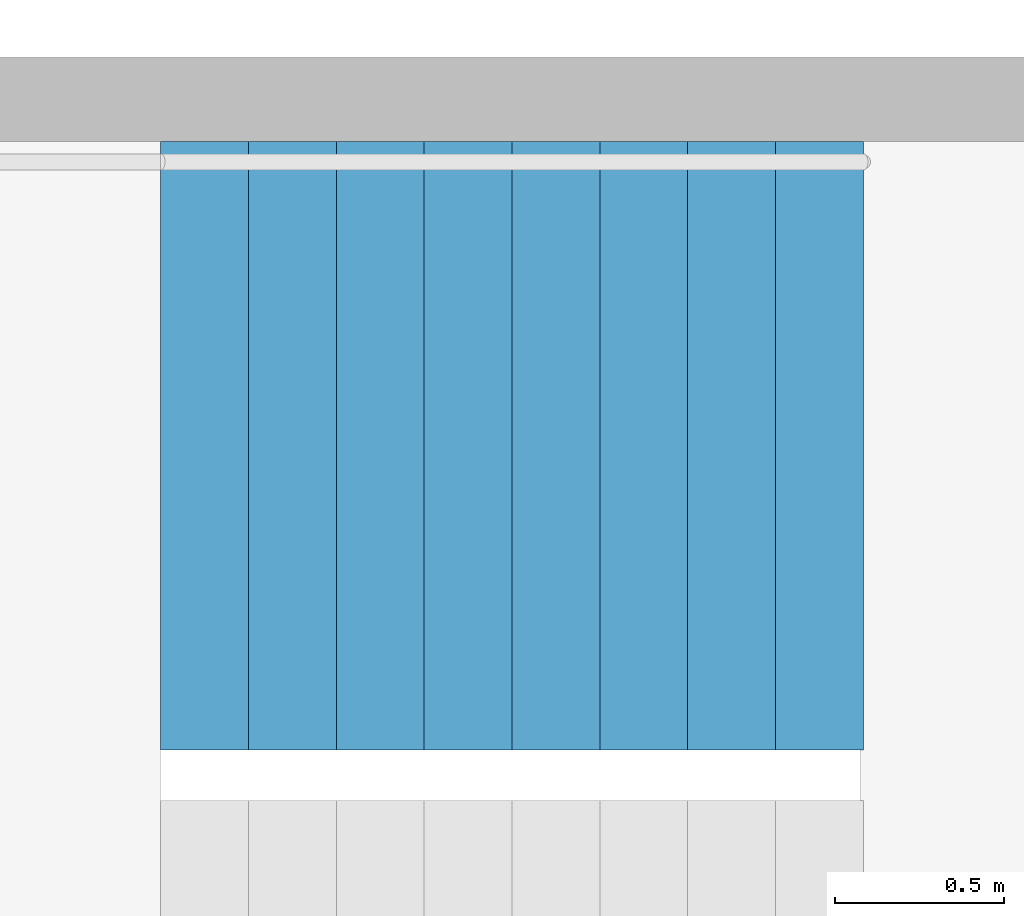
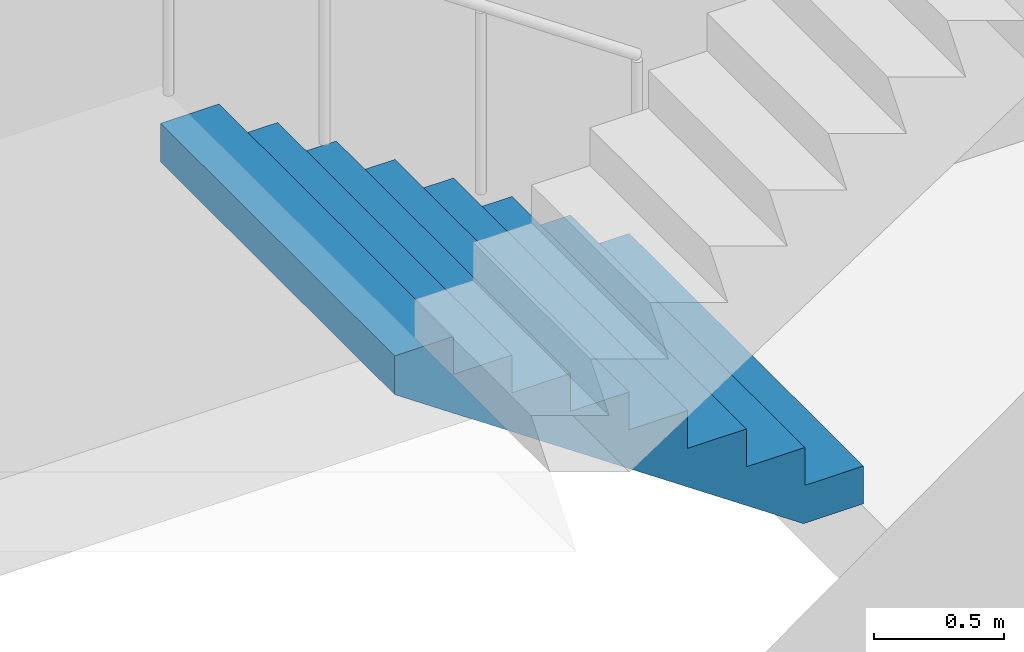
# One storey, part 19 of 26: 1 stair flight, 1 element without a shape of its own.
"""IFC4 building model written with IfcOpenShell, lengths in metres."""

from ifc_helpers import new_model, si_unit, direction, frame, origin, place, context, subcontext, project, spatial, triangles, material, type_object, element, aggregate, save


model = new_model("IFC4")

# Units and contexts
model_context = context("Model", 3, precision=1e-05, world=origin(), true_north=direction((0.0, 1.0)))
body_context = subcontext(model_context, "Body", "Model", "MODEL_VIEW")
ifc_project = project(units=[si_unit("LENGTHUNIT", "METRE"), si_unit("AREAUNIT", "SQUARE_METRE"), si_unit("VOLUMEUNIT", "CUBIC_METRE"), si_unit("PLANEANGLEUNIT", "RADIAN"), si_unit("MASSUNIT", "GRAM", prefix="KILO")], contexts=[model_context])

# Site, building, storey
site_placement = place(None, origin())
site = spatial("IfcSite", under=ifc_project, at=site_placement, CompositionType="ELEMENT")
building_placement = place(site_placement, origin())
building = spatial("IfcBuilding", under=site, at=building_placement, Name="Hakoniwa Tower and Hamabe Station Hall", CompositionType="ELEMENT")
storey_placement = place(building_placement, frame((0.0, 0.0, 143.800048828125)))
storey = spatial("IfcBuildingStorey", under=building, at=storey_placement, Name="L40", CompositionType="ELEMENT", Elevation=143.800048828125)

# Stair, stair flight
ifc_material_1 = material(Name="Concrete C40", Category="concrete")
stair_type = type_object("IfcStairType", Name="ESCAPE STAIR 1800", PredefinedType="HALF_TURN_STAIR", material=ifc_material_1)
stair_placement = place(storey_placement, origin())
stair = element("IfcStair", 1, at=stair_placement, inside=storey, type_object=stair_type, Name="Escape stair ST-2 L40", PredefinedType="HALF_TURN_STAIR")
ifc_material_2 = material(Name="Concrete C40", Category="concrete")
stair_flight_type = type_object("IfcStairFlightType", Name="STAIR FLIGHT 1800", PredefinedType="STRAIGHT", material=ifc_material_2)
stair_flight_placement = place(storey_placement, frame((-23.39990234375, -4.64990234375, 0.0), z_axis=(0.0, 0.0, 1.0), x_axis=(-1.0, 0.0, 0.0)))
stair_flight = element("IfcStairFlight", 2, at=stair_flight_placement, type_object=stair_flight_type, Name="ST-2 flight 1", NumberOfRisers=9, NumberOfTreads=8, PredefinedType="STRAIGHT", RiserHeight=0.177777778, TreadLength=0.26, context=body_context, shape_type="Tessellation", body=[
    triangles([(0.0, 0.89990234375, 0.0), (0.260009765625, 0.89990234375, 0.0), (0.265625, 0.89990234375, 0.0), (0.52001953125, 0.89990234375, 0.174072265625), (0.780029296875, 0.89990234375, 0.351806640625), (1.0400390625, 0.89990234375, 0.529541015625), (1.300048828125, 0.89990234375, 0.707275390625), (1.56005859375, 0.89990234375, 0.885009765625), (1.820068359375, 0.89990234375, 1.062744140625), (2.080078125, 0.89990234375, 1.24072265625), (2.080078125, 0.89990234375, 1.422119140625), (1.820068359375, 0.89990234375, 1.422119140625), (1.820068359375, 0.89990234375, 1.244384765625), (1.56005859375, 0.89990234375, 1.244384765625), (1.56005859375, 0.89990234375, 1.066650390625), (1.300048828125, 0.89990234375, 1.066650390625), (1.300048828125, 0.89990234375, 0.888916015625), (1.0400390625, 0.89990234375, 0.888916015625), (1.0400390625, 0.89990234375, 0.711181640625), (0.780029296875, 0.89990234375, 0.711181640625), (0.780029296875, 0.89990234375, 0.533447265625), (0.52001953125, 0.89990234375, 0.533447265625), (0.52001953125, 0.89990234375, 0.35546875), (0.265625, 0.89990234375, 0.35546875), (0.260009765625, 0.89990234375, 0.35546875), (0.260009765625, 0.89990234375, 0.177734375), (0.0, 0.89990234375, 0.177734375), (0.0, 0.06005859375, 0.0), (0.260009765625, 0.06005859375, 0.0), (0.265625, 0.06005859375, 0.0), (0.52001953125, 0.06005859375, 0.174072265625), (0.780029296875, 0.06005859375, 0.351806640625), (1.0400390625, 0.06005859375, 0.529541015625), (1.300048828125, 0.06005859375, 0.707275390625), (1.56005859375, 0.06005859375, 0.885009765625), (1.820068359375, 0.06005859375, 1.062744140625), (2.080078125, 0.06005859375, 1.24072265625), (2.080078125, 0.06005859375, 1.422119140625), (1.820068359375, 0.06005859375, 1.422119140625), (1.820068359375, 0.06005859375, 1.244384765625), (1.56005859375, 0.06005859375, 1.244384765625), (1.56005859375, 0.06005859375, 1.066650390625), (1.300048828125, 0.06005859375, 1.066650390625), (1.300048828125, 0.06005859375, 0.888916015625), (1.0400390625, 0.06005859375, 0.888916015625), (1.0400390625, 0.06005859375, 0.711181640625), (0.780029296875, 0.06005859375, 0.711181640625), (0.780029296875, 0.06005859375, 0.533447265625), (0.52001953125, 0.06005859375, 0.533447265625), (0.52001953125, 0.06005859375, 0.35546875), (0.265625, 0.06005859375, 0.35546875), (0.260009765625, 0.06005859375, 0.35546875), (0.260009765625, 0.06005859375, 0.177734375), (0.0, 0.06005859375, 0.177734375), (0.0, 0.04296875, 0.0), (0.260009765625, 0.04296875, 0.0), (0.265625, 0.04296875, 0.0), (0.52001953125, 0.04296875, 0.174072265625), (0.780029296875, 0.04296875, 0.351806640625), (1.0400390625, 0.04296875, 0.529541015625), (1.300048828125, 0.04296875, 0.707275390625), (1.56005859375, 0.04296875, 0.885009765625), (1.820068359375, 0.04296875, 1.062744140625), (2.080078125, 0.04296875, 1.24072265625), (2.080078125, 0.04296875, 1.422119140625), (1.820068359375, 0.04296875, 1.422119140625), (1.820068359375, 0.04296875, 1.244384765625), (1.56005859375, 0.04296875, 1.244384765625), (1.56005859375, 0.04296875, 1.066650390625), (1.300048828125, 0.04296875, 1.066650390625), (1.300048828125, 0.04296875, 0.888916015625), (1.0400390625, 0.04296875, 0.888916015625), (1.0400390625, 0.04296875, 0.711181640625), (0.780029296875, 0.04296875, 0.711181640625), (0.780029296875, 0.04296875, 0.533447265625), (0.52001953125, 0.04296875, 0.533447265625), (0.52001953125, 0.04296875, 0.35546875), (0.265625, 0.04296875, 0.35546875), (0.260009765625, 0.04296875, 0.35546875), (0.260009765625, 0.04296875, 0.177734375), (0.0, 0.04296875, 0.177734375), (0.0, 0.025634765625, 0.0), (0.260009765625, 0.025634765625, 0.0), (0.265625, 0.025634765625, 0.0), (0.52001953125, 0.025634765625, 0.174072265625), (0.780029296875, 0.025634765625, 0.351806640625), (1.0400390625, 0.025634765625, 0.529541015625), (1.300048828125, 0.025634765625, 0.707275390625), (1.56005859375, 0.025634765625, 0.885009765625), (1.820068359375, 0.025634765625, 1.062744140625), (2.080078125, 0.025634765625, 1.24072265625), (2.080078125, 0.025634765625, 1.422119140625), (1.820068359375, 0.025634765625, 1.422119140625), (1.820068359375, 0.025634765625, 1.244384765625), (1.56005859375, 0.025634765625, 1.244384765625), (1.56005859375, 0.025634765625, 1.066650390625), (1.300048828125, 0.025634765625, 1.066650390625), (1.300048828125, 0.025634765625, 0.888916015625), (1.0400390625, 0.025634765625, 0.888916015625), (1.0400390625, 0.025634765625, 0.711181640625), (0.780029296875, 0.025634765625, 0.711181640625), (0.780029296875, 0.025634765625, 0.533447265625), (0.52001953125, 0.025634765625, 0.533447265625), (0.52001953125, 0.025634765625, 0.35546875), (0.265625, 0.025634765625, 0.35546875), (0.260009765625, 0.025634765625, 0.35546875), (0.260009765625, 0.025634765625, 0.177734375), (0.0, 0.025634765625, 0.177734375), (0.0, 0.008544921875, 0.0), (0.260009765625, 0.008544921875, 0.0), (0.265625, 0.008544921875, 0.0), (0.52001953125, 0.008544921875, 0.174072265625), (0.780029296875, 0.008544921875, 0.351806640625), (1.0400390625, 0.008544921875, 0.529541015625), (1.300048828125, 0.008544921875, 0.707275390625), (1.56005859375, 0.008544921875, 0.885009765625), (1.820068359375, 0.008544921875, 1.062744140625), (2.080078125, 0.008544921875, 1.24072265625), (2.080078125, 0.008544921875, 1.422119140625), (1.820068359375, 0.008544921875, 1.422119140625), (1.820068359375, 0.008544921875, 1.244384765625), (1.56005859375, 0.008544921875, 1.244384765625), (1.56005859375, 0.008544921875, 1.066650390625), (1.300048828125, 0.008544921875, 1.066650390625), (1.300048828125, 0.008544921875, 0.888916015625), (1.0400390625, 0.008544921875, 0.888916015625), (1.0400390625, 0.008544921875, 0.711181640625), (0.780029296875, 0.008544921875, 0.711181640625), (0.780029296875, 0.008544921875, 0.533447265625), (0.52001953125, 0.008544921875, 0.533447265625), (0.52001953125, 0.008544921875, 0.35546875), (0.265625, 0.008544921875, 0.35546875), (0.260009765625, 0.008544921875, 0.35546875), (0.260009765625, 0.008544921875, 0.177734375), (0.0, 0.008544921875, 0.177734375), (0.0, -0.008544921875, 0.0), (0.260009765625, -0.008544921875, 0.0), (0.265625, -0.008544921875, 0.0), (0.52001953125, -0.008544921875, 0.174072265625), (0.780029296875, -0.008544921875, 0.351806640625), (1.0400390625, -0.008544921875, 0.529541015625), (1.300048828125, -0.008544921875, 0.707275390625), (1.56005859375, -0.008544921875, 0.885009765625), (1.820068359375, -0.008544921875, 1.062744140625), (2.080078125, -0.008544921875, 1.24072265625), (2.080078125, -0.008544921875, 1.422119140625), (1.820068359375, -0.008544921875, 1.422119140625), (1.820068359375, -0.008544921875, 1.244384765625), (1.56005859375, -0.008544921875, 1.244384765625), (1.56005859375, -0.008544921875, 1.066650390625), (1.300048828125, -0.008544921875, 1.066650390625), (1.300048828125, -0.008544921875, 0.888916015625), (1.0400390625, -0.008544921875, 0.888916015625), (1.0400390625, -0.008544921875, 0.711181640625), (0.780029296875, -0.008544921875, 0.711181640625), (0.780029296875, -0.008544921875, 0.533447265625), (0.52001953125, -0.008544921875, 0.533447265625), (0.52001953125, -0.008544921875, 0.35546875), (0.265625, -0.008544921875, 0.35546875), (0.260009765625, -0.008544921875, 0.35546875), (0.260009765625, -0.008544921875, 0.177734375), (0.0, -0.008544921875, 0.177734375), (0.0, -0.025634765625, 0.0), (0.260009765625, -0.025634765625, 0.0), (0.265625, -0.025634765625, 0.0), (0.52001953125, -0.025634765625, 0.174072265625), (0.780029296875, -0.025634765625, 0.351806640625), (1.0400390625, -0.025634765625, 0.529541015625), (1.300048828125, -0.025634765625, 0.707275390625), (1.56005859375, -0.025634765625, 0.885009765625), (1.820068359375, -0.025634765625, 1.062744140625), (2.080078125, -0.025634765625, 1.24072265625), (2.080078125, -0.025634765625, 1.422119140625), (1.820068359375, -0.025634765625, 1.422119140625), (1.820068359375, -0.025634765625, 1.244384765625), (1.56005859375, -0.025634765625, 1.244384765625), (1.56005859375, -0.025634765625, 1.066650390625), (1.300048828125, -0.025634765625, 1.066650390625), (1.300048828125, -0.025634765625, 0.888916015625), (1.0400390625, -0.025634765625, 0.888916015625), (1.0400390625, -0.025634765625, 0.711181640625), (0.780029296875, -0.025634765625, 0.711181640625), (0.780029296875, -0.025634765625, 0.533447265625), (0.52001953125, -0.025634765625, 0.533447265625), (0.52001953125, -0.025634765625, 0.35546875), (0.265625, -0.025634765625, 0.35546875), (0.260009765625, -0.025634765625, 0.35546875), (0.260009765625, -0.025634765625, 0.177734375), (0.0, -0.025634765625, 0.177734375), (0.0, -0.04296875, 0.0), (0.260009765625, -0.04296875, 0.0), (0.265625, -0.04296875, 0.0), (0.52001953125, -0.04296875, 0.174072265625), (0.780029296875, -0.04296875, 0.351806640625), (1.0400390625, -0.04296875, 0.529541015625), (1.300048828125, -0.04296875, 0.707275390625), (1.56005859375, -0.04296875, 0.885009765625), (1.820068359375, -0.04296875, 1.062744140625), (2.080078125, -0.04296875, 1.24072265625), (2.080078125, -0.04296875, 1.422119140625), (1.820068359375, -0.04296875, 1.422119140625), (1.820068359375, -0.04296875, 1.244384765625), (1.56005859375, -0.04296875, 1.244384765625), (1.56005859375, -0.04296875, 1.066650390625), (1.300048828125, -0.04296875, 1.066650390625), (1.300048828125, -0.04296875, 0.888916015625), (1.0400390625, -0.04296875, 0.888916015625), (1.0400390625, -0.04296875, 0.711181640625), (0.780029296875, -0.04296875, 0.711181640625), (0.780029296875, -0.04296875, 0.533447265625), (0.52001953125, -0.04296875, 0.533447265625), (0.52001953125, -0.04296875, 0.35546875), (0.265625, -0.04296875, 0.35546875), (0.260009765625, -0.04296875, 0.35546875), (0.260009765625, -0.04296875, 0.177734375), (0.0, -0.04296875, 0.177734375), (0.0, -0.06005859375, 0.0), (0.260009765625, -0.06005859375, 0.0), (0.265625, -0.06005859375, 0.0), (0.52001953125, -0.06005859375, 0.174072265625), (0.780029296875, -0.06005859375, 0.351806640625), (1.0400390625, -0.06005859375, 0.529541015625), (1.300048828125, -0.06005859375, 0.707275390625), (1.56005859375, -0.06005859375, 0.885009765625), (1.820068359375, -0.06005859375, 1.062744140625), (2.080078125, -0.06005859375, 1.24072265625), (2.080078125, -0.06005859375, 1.422119140625), (1.820068359375, -0.06005859375, 1.422119140625), (1.820068359375, -0.06005859375, 1.244384765625), (1.56005859375, -0.06005859375, 1.244384765625), (1.56005859375, -0.06005859375, 1.066650390625), (1.300048828125, -0.06005859375, 1.066650390625), (1.300048828125, -0.06005859375, 0.888916015625), (1.0400390625, -0.06005859375, 0.888916015625), (1.0400390625, -0.06005859375, 0.711181640625), (0.780029296875, -0.06005859375, 0.711181640625), (0.780029296875, -0.06005859375, 0.533447265625), (0.52001953125, -0.06005859375, 0.533447265625), (0.52001953125, -0.06005859375, 0.35546875), (0.265625, -0.06005859375, 0.35546875), (0.260009765625, -0.06005859375, 0.35546875), (0.260009765625, -0.06005859375, 0.177734375), (0.0, -0.06005859375, 0.177734375), (0.0, -0.89990234375, 0.0), (0.260009765625, -0.89990234375, 0.0), (0.265625, -0.89990234375, 0.0), (0.52001953125, -0.89990234375, 0.174072265625), (0.780029296875, -0.89990234375, 0.351806640625), (1.0400390625, -0.89990234375, 0.529541015625), (1.300048828125, -0.89990234375, 0.707275390625), (1.56005859375, -0.89990234375, 0.885009765625), (1.820068359375, -0.89990234375, 1.062744140625), (2.080078125, -0.89990234375, 1.24072265625), (2.080078125, -0.89990234375, 1.422119140625), (1.820068359375, -0.89990234375, 1.422119140625), (1.820068359375, -0.89990234375, 1.244384765625), (1.56005859375, -0.89990234375, 1.244384765625), (1.56005859375, -0.89990234375, 1.066650390625), (1.300048828125, -0.89990234375, 1.066650390625), (1.300048828125, -0.89990234375, 0.888916015625), (1.0400390625, -0.89990234375, 0.888916015625), (1.0400390625, -0.89990234375, 0.711181640625), (0.780029296875, -0.89990234375, 0.711181640625), (0.780029296875, -0.89990234375, 0.533447265625), (0.52001953125, -0.89990234375, 0.533447265625), (0.52001953125, -0.89990234375, 0.35546875), (0.265625, -0.89990234375, 0.35546875), (0.260009765625, -0.89990234375, 0.35546875), (0.260009765625, -0.89990234375, 0.177734375), (0.0, -0.89990234375, 0.177734375)], [[2, 27, 26], [245, 269, 270], [2, 1, 27], [245, 270, 244], [3, 25, 24], [246, 267, 268], [3, 26, 25], [246, 268, 269], [3, 2, 26], [246, 269, 245], [4, 24, 23], [247, 266, 267], [4, 3, 24], [247, 267, 246], [5, 22, 21], [248, 264, 265], [5, 23, 22], [248, 265, 266], [5, 4, 23], [248, 266, 247], [6, 20, 19], [249, 262, 263], [6, 21, 20], [249, 263, 264], [6, 5, 21], [249, 264, 248], [7, 18, 17], [250, 260, 261], [7, 19, 18], [250, 261, 262], [7, 6, 19], [250, 262, 249], [8, 16, 15], [251, 258, 259], [8, 17, 16], [251, 259, 260], [8, 7, 17], [251, 260, 250], [9, 14, 13], [252, 256, 257], [9, 15, 14], [252, 257, 258], [9, 8, 15], [252, 258, 251], [10, 12, 11], [253, 254, 255], [10, 13, 12], [253, 255, 256], [10, 9, 13], [253, 256, 252], [1, 2, 29], [1, 29, 28], [28, 29, 56], [28, 56, 55], [55, 56, 83], [55, 83, 82], [82, 83, 110], [82, 110, 109], [109, 110, 137], [109, 137, 136], [136, 137, 164], [136, 164, 163], [163, 164, 191], [163, 191, 190], [190, 191, 218], [190, 218, 217], [217, 218, 245], [217, 245, 244], [2, 3, 30], [2, 30, 29], [29, 30, 57], [29, 57, 56], [56, 57, 84], [56, 84, 83], [83, 84, 111], [83, 111, 110], [110, 111, 138], [110, 138, 137], [137, 138, 165], [137, 165, 164], [164, 165, 192], [164, 192, 191], [191, 192, 219], [191, 219, 218], [218, 219, 246], [218, 246, 245], [3, 4, 31], [3, 31, 30], [30, 31, 58], [30, 58, 57], [57, 58, 85], [57, 85, 84], [84, 85, 112], [84, 112, 111], [111, 112, 139], [111, 139, 138], [138, 139, 166], [138, 166, 165], [165, 166, 193], [165, 193, 192], [192, 193, 220], [192, 220, 219], [219, 220, 247], [219, 247, 246], [4, 5, 32], [4, 32, 31], [31, 32, 59], [31, 59, 58], [58, 59, 86], [58, 86, 85], [85, 86, 113], [85, 113, 112], [112, 113, 140], [112, 140, 139], [139, 140, 167], [139, 167, 166], [166, 167, 194], [166, 194, 193], [193, 194, 221], [193, 221, 220], [220, 221, 248], [220, 248, 247], [5, 6, 33], [5, 33, 32], [32, 33, 60], [32, 60, 59], [59, 60, 87], [59, 87, 86], [86, 87, 114], [86, 114, 113], [113, 114, 141], [113, 141, 140], [140, 141, 168], [140, 168, 167], [167, 168, 195], [167, 195, 194], [194, 195, 222], [194, 222, 221], [221, 222, 249], [221, 249, 248], [6, 7, 34], [6, 34, 33], [33, 34, 61], [33, 61, 60], [60, 61, 88], [60, 88, 87], [87, 88, 115], [87, 115, 114], [114, 115, 142], [114, 142, 141], [141, 142, 169], [141, 169, 168], [168, 169, 196], [168, 196, 195], [195, 196, 223], [195, 223, 222], [222, 223, 250], [222, 250, 249], [7, 8, 35], [7, 35, 34], [34, 35, 62], [34, 62, 61], [61, 62, 89], [61, 89, 88], [88, 89, 116], [88, 116, 115], [115, 116, 143], [115, 143, 142], [142, 143, 170], [142, 170, 169], [169, 170, 197], [169, 197, 196], [196, 197, 224], [196, 224, 223], [223, 224, 251], [223, 251, 250], [8, 9, 36], [8, 36, 35], [35, 36, 63], [35, 63, 62], [62, 63, 90], [62, 90, 89], [89, 90, 117], [89, 117, 116], [116, 117, 144], [116, 144, 143], [143, 144, 171], [143, 171, 170], [170, 171, 198], [170, 198, 197], [197, 198, 225], [197, 225, 224], [224, 225, 252], [224, 252, 251], [9, 10, 37], [9, 37, 36], [36, 37, 64], [36, 64, 63], [63, 64, 91], [63, 91, 90], [90, 91, 118], [90, 118, 117], [117, 118, 145], [117, 145, 144], [144, 145, 172], [144, 172, 171], [171, 172, 199], [171, 199, 198], [198, 199, 226], [198, 226, 225], [225, 226, 253], [225, 253, 252], [10, 11, 38], [10, 38, 37], [37, 38, 65], [37, 65, 64], [64, 65, 92], [64, 92, 91], [91, 92, 119], [91, 119, 118], [118, 119, 146], [118, 146, 145], [145, 146, 173], [145, 173, 172], [172, 173, 200], [172, 200, 199], [199, 200, 227], [199, 227, 226], [226, 227, 254], [226, 254, 253], [11, 12, 39], [11, 39, 38], [38, 39, 66], [38, 66, 65], [65, 66, 93], [65, 93, 92], [92, 93, 120], [92, 120, 119], [119, 120, 147], [119, 147, 146], [146, 147, 174], [146, 174, 173], [173, 174, 201], [173, 201, 200], [200, 201, 228], [200, 228, 227], [227, 228, 255], [227, 255, 254], [12, 13, 40], [12, 40, 39], [39, 40, 67], [39, 67, 66], [66, 67, 94], [66, 94, 93], [93, 94, 121], [93, 121, 120], [120, 121, 148], [120, 148, 147], [147, 148, 175], [147, 175, 174], [174, 175, 202], [174, 202, 201], [201, 202, 229], [201, 229, 228], [228, 229, 256], [228, 256, 255], [13, 14, 41], [13, 41, 40], [40, 41, 68], [40, 68, 67], [67, 68, 95], [67, 95, 94], [94, 95, 122], [94, 122, 121], [121, 122, 149], [121, 149, 148], [148, 149, 176], [148, 176, 175], [175, 176, 203], [175, 203, 202], [202, 203, 230], [202, 230, 229], [229, 230, 257], [229, 257, 256], [14, 15, 42], [14, 42, 41], [41, 42, 69], [41, 69, 68], [68, 69, 96], [68, 96, 95], [95, 96, 123], [95, 123, 122], [122, 123, 150], [122, 150, 149], [149, 150, 177], [149, 177, 176], [176, 177, 204], [176, 204, 203], [203, 204, 231], [203, 231, 230], [230, 231, 258], [230, 258, 257], [15, 16, 43], [15, 43, 42], [42, 43, 70], [42, 70, 69], [69, 70, 97], [69, 97, 96], [96, 97, 124], [96, 124, 123], [123, 124, 151], [123, 151, 150], [150, 151, 178], [150, 178, 177], [177, 178, 205], [177, 205, 204], [204, 205, 232], [204, 232, 231], [231, 232, 259], [231, 259, 258], [16, 17, 44], [16, 44, 43], [43, 44, 71], [43, 71, 70], [70, 71, 98], [70, 98, 97], [97, 98, 125], [97, 125, 124], [124, 125, 152], [124, 152, 151], [151, 152, 179], [151, 179, 178], [178, 179, 206], [178, 206, 205], [205, 206, 233], [205, 233, 232], [232, 233, 260], [232, 260, 259], [17, 18, 45], [17, 45, 44], [44, 45, 72], [44, 72, 71], [71, 72, 99], [71, 99, 98], [98, 99, 126], [98, 126, 125], [125, 126, 153], [125, 153, 152], [152, 153, 180], [152, 180, 179], [179, 180, 207], [179, 207, 206], [206, 207, 234], [206, 234, 233], [233, 234, 261], [233, 261, 260], [18, 19, 46], [18, 46, 45], [45, 46, 73], [45, 73, 72], [72, 73, 100], [72, 100, 99], [99, 100, 127], [99, 127, 126], [126, 127, 154], [126, 154, 153], [153, 154, 181], [153, 181, 180], [180, 181, 208], [180, 208, 207], [207, 208, 235], [207, 235, 234], [234, 235, 262], [234, 262, 261], [19, 20, 47], [19, 47, 46], [46, 47, 74], [46, 74, 73], [73, 74, 101], [73, 101, 100], [100, 101, 128], [100, 128, 127], [127, 128, 155], [127, 155, 154], [154, 155, 182], [154, 182, 181], [181, 182, 209], [181, 209, 208], [208, 209, 236], [208, 236, 235], [235, 236, 263], [235, 263, 262], [20, 21, 48], [20, 48, 47], [47, 48, 75], [47, 75, 74], [74, 75, 102], [74, 102, 101], [101, 102, 129], [101, 129, 128], [128, 129, 156], [128, 156, 155], [155, 156, 183], [155, 183, 182], [182, 183, 210], [182, 210, 209], [209, 210, 237], [209, 237, 236], [236, 237, 264], [236, 264, 263], [21, 22, 49], [21, 49, 48], [48, 49, 76], [48, 76, 75], [75, 76, 103], [75, 103, 102], [102, 103, 130], [102, 130, 129], [129, 130, 157], [129, 157, 156], [156, 157, 184], [156, 184, 183], [183, 184, 211], [183, 211, 210], [210, 211, 238], [210, 238, 237], [237, 238, 265], [237, 265, 264], [22, 23, 50], [22, 50, 49], [49, 50, 77], [49, 77, 76], [76, 77, 104], [76, 104, 103], [103, 104, 131], [103, 131, 130], [130, 131, 158], [130, 158, 157], [157, 158, 185], [157, 185, 184], [184, 185, 212], [184, 212, 211], [211, 212, 239], [211, 239, 238], [238, 239, 266], [238, 266, 265], [23, 24, 51], [23, 51, 50], [50, 51, 78], [50, 78, 77], [77, 78, 105], [77, 105, 104], [104, 105, 132], [104, 132, 131], [131, 132, 159], [131, 159, 158], [158, 159, 186], [158, 186, 185], [185, 186, 213], [185, 213, 212], [212, 213, 240], [212, 240, 239], [239, 240, 267], [239, 267, 266], [24, 25, 52], [24, 52, 51], [51, 52, 79], [51, 79, 78], [78, 79, 106], [78, 106, 105], [105, 106, 133], [105, 133, 132], [132, 133, 160], [132, 160, 159], [159, 160, 187], [159, 187, 186], [186, 187, 214], [186, 214, 213], [213, 214, 241], [213, 241, 240], [240, 241, 268], [240, 268, 267], [25, 26, 53], [25, 53, 52], [52, 53, 80], [52, 80, 79], [79, 80, 107], [79, 107, 106], [106, 107, 134], [106, 134, 133], [133, 134, 161], [133, 161, 160], [160, 161, 188], [160, 188, 187], [187, 188, 215], [187, 215, 214], [214, 215, 242], [214, 242, 241], [241, 242, 269], [241, 269, 268], [26, 27, 54], [26, 54, 53], [53, 54, 81], [53, 81, 80], [80, 81, 108], [80, 108, 107], [107, 108, 135], [107, 135, 134], [134, 135, 162], [134, 162, 161], [161, 162, 189], [161, 189, 188], [188, 189, 216], [188, 216, 215], [215, 216, 243], [215, 243, 242], [242, 243, 270], [242, 270, 269], [27, 1, 28], [27, 28, 54], [54, 28, 55], [54, 55, 81], [81, 55, 82], [81, 82, 108], [108, 82, 109], [108, 109, 135], [135, 109, 136], [135, 136, 162], [162, 136, 163], [162, 163, 189], [189, 163, 190], [189, 190, 216], [216, 190, 217], [216, 217, 243], [243, 217, 244], [243, 244, 270]], closed=True),
])
aggregate(stair, [stair_flight])

save(model, "model.ifc")
